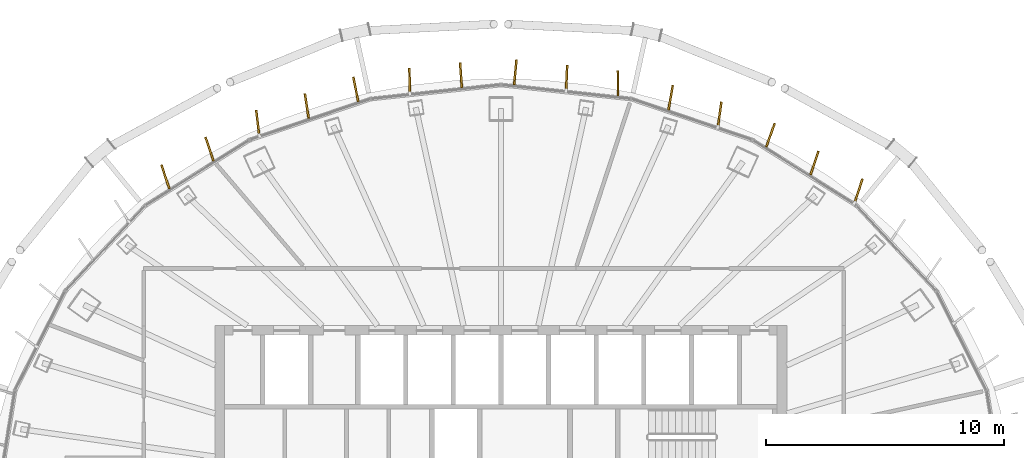
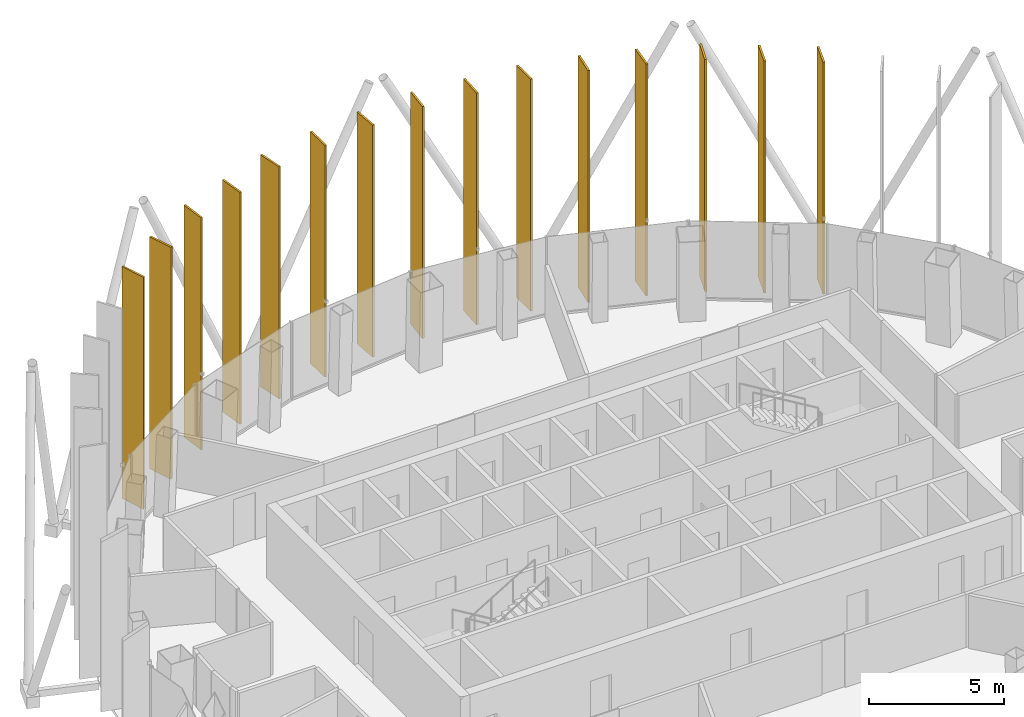
# One storey, part 19 of 19: 15 shading devices.
"""IFC4 building model written with IfcOpenShell, lengths in metres."""

from ifc_helpers import new_model, si_unit, direction, frame, origin, origin_2d, place, context, subcontext, project, spatial, rectangle, extrude, material, layer, layer_set, type_object, element, save


model = new_model("IFC4")

# Units and contexts
model_context = context("Model", 3, precision=1e-05, world=origin(), true_north=direction((0.0, 1.0)))
body_context = subcontext(model_context, "Body", "Model", "MODEL_VIEW")
ifc_project = project(units=[si_unit("LENGTHUNIT", "METRE"), si_unit("AREAUNIT", "SQUARE_METRE"), si_unit("VOLUMEUNIT", "CUBIC_METRE"), si_unit("PLANEANGLEUNIT", "RADIAN"), si_unit("MASSUNIT", "GRAM", prefix="KILO")], contexts=[model_context])

# Site, building, storey
site_placement = place(None, origin())
site = spatial("IfcSite", under=ifc_project, at=site_placement, CompositionType="ELEMENT")
building_placement = place(site_placement, origin())
building = spatial("IfcBuilding", under=site, at=building_placement, Name="Siaravel Broadcast Tower", CompositionType="ELEMENT")
storey_placement = place(building_placement, frame((0.0, 0.0, 239.300048828125)))
storey = spatial("IfcBuildingStorey", under=building, at=storey_placement, Name="L58", CompositionType="ELEMENT", Elevation=239.300048828125)

# Shading devices
ifc_material = material(Name="Bronze anodised aluminium", Category="aluminium")
ifc_layer = layer(ifc_material, 0.080078125)
ifc_layer_set = layer_set([ifc_layer], Name="Bronze anodised aluminium")
shading_device_type = type_object("IfcShadingDeviceType", Name="Bronze fin zone 4", PredefinedType="USERDEFINED", material=ifc_layer_set)
for number, where, z_axis, x_axis, name in (
    (1, (15.01708984375, 12.86767578125, 0.300048828125), (0.0, 0.0, 1.0), (0.311543938, 0.950231748, 0.0), "Bronze fin L58-07"),
    (2, (13.1630859375, 14.0341796875, 0.300048828125), (0.0, 0.0, 1.0), (0.317978217, 0.948098019, 0.0), "Bronze fin L58-08"),
    (3, (11.314697265625, 15.198486328125, 0.300048828125), (0.0, 0.0, 1.0), (0.335499251, 0.942040473, 0.0), "Bronze fin L58-09"),
    (4, (9.1826171875, 16.072021484375, 0.300048828125), (0.0, 0.0, 1.0), (0.135852176, 0.990729118, 0.0), "Bronze fin L58-10"),
    (5, (7.124267578125, 16.77392578125, 0.300048828125), (0.0, 0.0, 1.0), (0.1722678, 0.985050154, 0.0), "Bronze fin L58-11"),
    (6, (4.91357421875, 17.3701171875, 0.300048828125), (0.0, 0.0, 1.0), (-0.003314374, 0.999994507, 0.0), "Bronze fin L58-12"),
    (7, (2.757080078125, 17.60498046875, 0.300048828125), (0.0, 0.0, 1.0), (0.044341255, 0.999016443, 0.0), "Bronze fin L58-13"),
    (8, (0.602294921875, 17.83837890625, 0.300048828125), (0.0, 0.0, 1.0), (0.094634788, 0.995512058, 0.0), "Bronze fin L58-14"),
    (9, (-1.6796875, 17.7216796875, 0.300048828125), (0.0, 0.0, 1.0), (-0.069373432, 0.997590761, 0.0), "Bronze fin L58-15"),
    (10, (-3.835205078125, 17.48779296875, 0.300048828125), (0.0, 0.0, 1.0), (-0.01997571, 0.999800466, 0.0), "Bronze fin L58-16"),
    (11, (-6.09619140625, 17.124267578125, 0.300048828125), (0.0, 0.0, 1.0), (-0.192989506, 0.981200821, 0.0), "Bronze fin L58-17"),
    (12, (-8.153076171875, 16.423095703125, 0.300048828125), (0.0, 0.0, 1.0), (-0.153099671, 0.988210752, 0.0), "Bronze fin L58-18"),
    (13, (-10.213623046875, 15.720458984375, 0.300048828125), (0.0, 0.0, 1.0), (-0.120821222, 0.992674283, 0.0), "Bronze fin L58-19"),
    (14, (-12.23828125, 14.616455078125, 0.300048828125), (0.0, 0.0, 1.0), (-0.32542623, 0.945567432, 0.0), "Bronze fin L58-20"),
    (15, (-14.08935546875, 13.451171875, 0.300048828125), (0.0, 0.0, 1.0), (-0.313331213, 0.949643907, 0.0), "Bronze fin L58-21"),
):
    element("IfcShadingDevice", number, at=place(storey_placement, frame(where, z_axis=z_axis, x_axis=x_axis)), inside=storey, type_object=shading_device_type, Name=name, ObjectType="FIN", PredefinedType="USERDEFINED", context=body_context, shape_type="SweptSolid", body=[
        extrude(rectangle(XDim=1.050048828125, YDim=0.080078125, at=origin_2d()), origin(), (0.0, 0.0, 1.0), 10.5),
    ])

save(model, "model.ifc")
